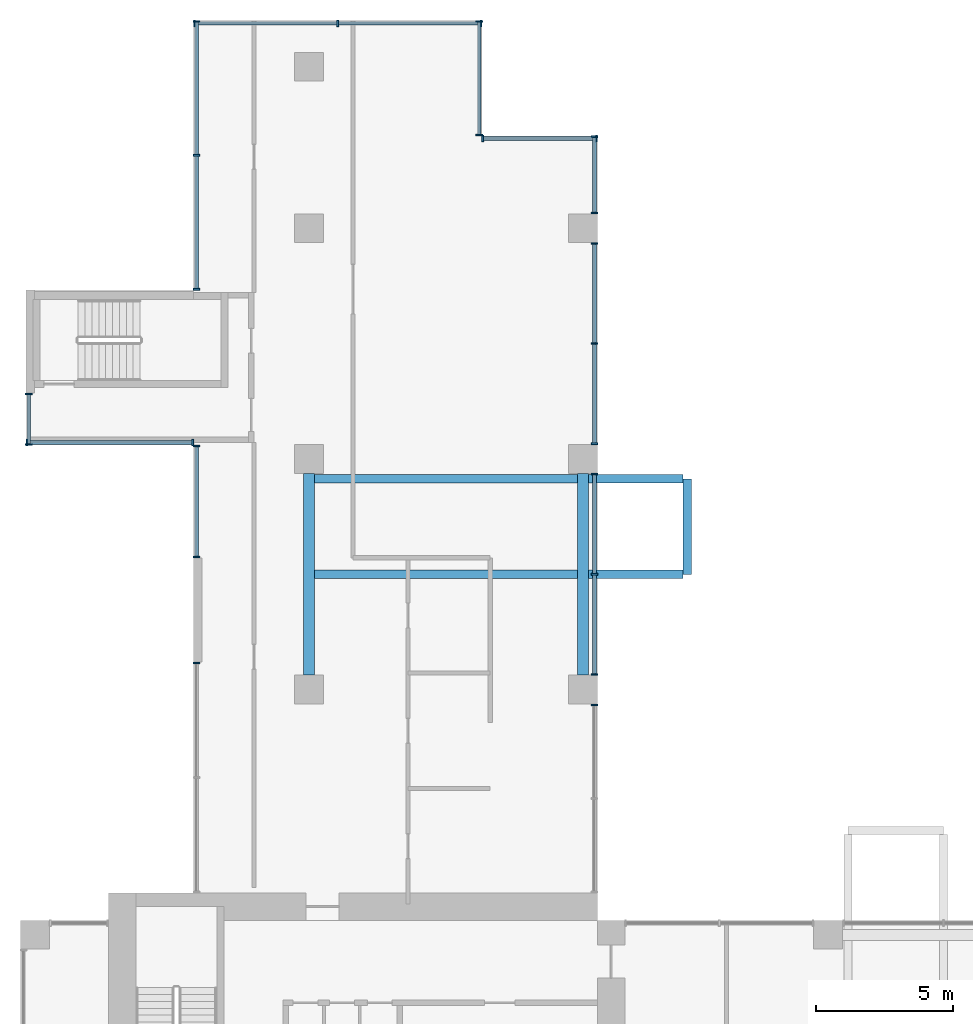
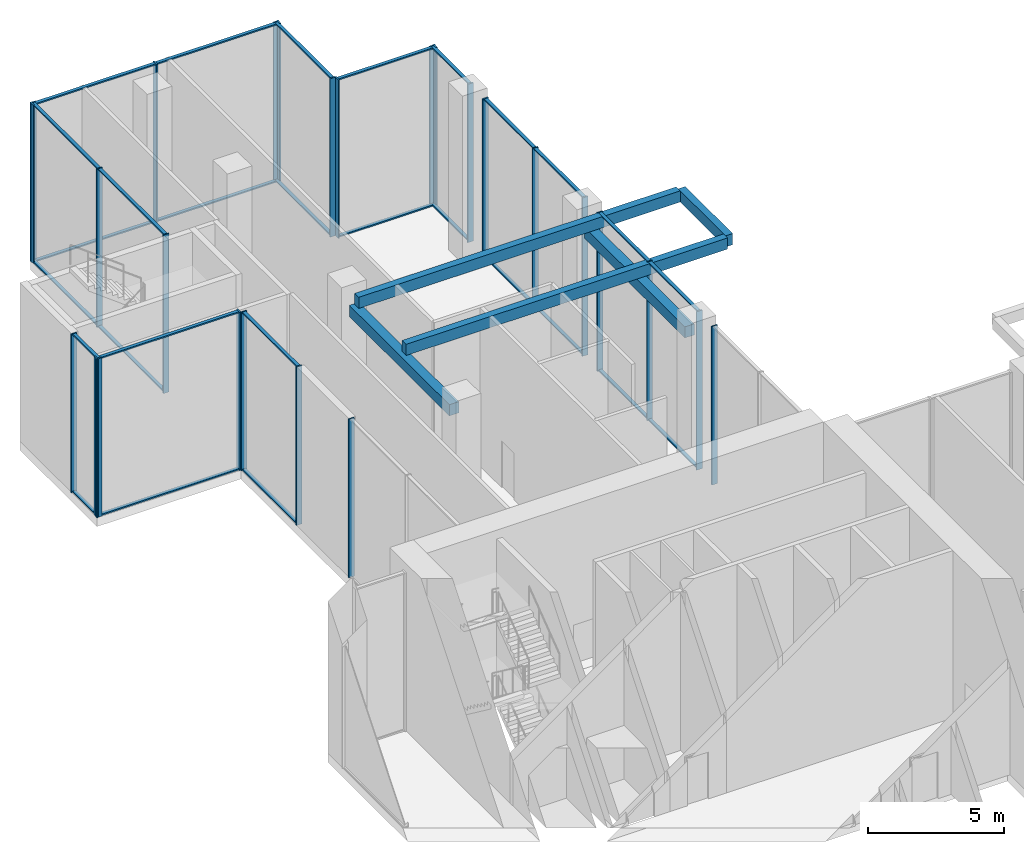
# One storey, part 6 of 18: 54 members, 5 beams, 12 elements without a shape of their own.
"""IFC4 building model written with IfcOpenShell, lengths in metres."""

from ifc_helpers import new_model, si_unit, direction, frame, origin, origin_2d, place, context, subcontext, project, spatial, rectangle, extrude, source, transform, mapped, material, layer, layer_set, material_profile, profile_set, type_object, element, aggregate, save


model = new_model("IFC4")

# Units and contexts
model_context = context("Model", 3, precision=1e-05, world=origin(), true_north=direction((0.0, 1.0)))
body_context = subcontext(model_context, "Body", "Model", "MODEL_VIEW")
ifc_project = project(units=[si_unit("LENGTHUNIT", "METRE"), si_unit("AREAUNIT", "SQUARE_METRE"), si_unit("VOLUMEUNIT", "CUBIC_METRE"), si_unit("PLANEANGLEUNIT", "RADIAN"), si_unit("MASSUNIT", "GRAM", prefix="KILO")], contexts=[model_context])

# Site, building, storey
site_placement = place(None, origin())
site = spatial("IfcSite", under=ifc_project, at=site_placement, CompositionType="ELEMENT")
building_placement = place(site_placement, origin())
building = spatial("IfcBuilding", under=site, at=building_placement, Name="Aurelian Terraces", CompositionType="ELEMENT")
storey_placement = place(building_placement, frame((0.0, 0.0, 170.3)))
storey = spatial("IfcBuildingStorey", under=building, at=storey_placement, Name="L37", CompositionType="ELEMENT", Elevation=170.3)

# Curtain wall, member
ifc_material_1 = material(Name="Anodised aluminium and clear glazing", Category="aluminium")
ifc_layer = layer(ifc_material_1, 0.2)
ifc_layer_set = layer_set([ifc_layer], Name="Lobby glazing curtain wall")
curtain_wall_type = type_object("IfcCurtainWallType", Name="Lobby glazing curtain wall", PredefinedType="NOTDEFINED", material=ifc_layer_set)
curtain_wall_1_placement = place(storey_placement, origin())
curtain_wall_1 = element("IfcCurtainWall", 1, at=curtain_wall_1_placement, inside=storey, type_object=curtain_wall_type, Name="Lobby glazing L37 F10.4", PredefinedType="NOTDEFINED")
ifc_material_2 = material(Name="Anodised aluminium", Category="aluminium")
ifc_material_profile_1 = material_profile(ifc_material_2, rectangle(XDim=0.14, YDim=0.06, at=origin_2d()))
ifc_profile_set_1 = profile_set([ifc_material_profile_1], Name="Anodised aluminium")
member_type_1 = type_object("IfcMemberType", Name="Lobby glazing transom", PredefinedType="USERDEFINED", material=ifc_profile_set_1)
member_1_placement = place(storey_placement, frame((20.9, 46.785, 0.03), z_axis=(0.0, 1.0, 0.0), x_axis=(-1.0, 0.0, 0.0)))
member_1 = element("IfcMember", 2, at=member_1_placement, type_object=member_type_1, Name="CW2 transom 1.1", ObjectType="TRANSOM", PredefinedType="USERDEFINED", context=body_context, shape_type="SweptSolid", body=[
    extrude(rectangle(XDim=0.14, YDim=0.06, at=origin_2d()), origin(), (0.0, 0.0, 1.0), 2.715),
])

curtain_wall_2_placement = place(storey_placement, origin())
curtain_wall_2 = element("IfcCurtainWall", 3, at=curtain_wall_2_placement, inside=storey, type_object=curtain_wall_type, Name="Lobby glazing L37 F13.1", PredefinedType="NOTDEFINED")
member_2_placement = place(storey_placement, frame((16.74, 53.66, 0.03), z_axis=(-1.0, 0.0, 0.0), x_axis=(0.0, -1.0, 0.0)))
member_2 = element("IfcMember", 4, at=member_2_placement, type_object=member_type_1, Name="CW2 transom 1.1", ObjectType="TRANSOM", PredefinedType="USERDEFINED", context=body_context, shape_type="SweptSolid", body=[
    extrude(rectangle(XDim=0.14, YDim=0.06, at=origin_2d()), origin(), (0.0, 0.0, 1.0), 5.16),
])

curtain_wall_3_placement = place(storey_placement, origin())
curtain_wall_3 = element("IfcCurtainWall", 5, at=curtain_wall_3_placement, inside=storey, type_object=curtain_wall_type, Name="Lobby glazing L37 F14.1", PredefinedType="NOTDEFINED")
member_3_placement = place(storey_placement, frame((6.4, 53.7, 0.03), z_axis=(0.0, -1.0, 0.0), x_axis=(1.0, 0.0, 0.0)))
member_3 = element("IfcMember", 6, at=member_3_placement, type_object=member_type_1, Name="CW2 transom 1.1", ObjectType="TRANSOM", PredefinedType="USERDEFINED", context=body_context, shape_type="SweptSolid", body=[
    extrude(rectangle(XDim=0.14, YDim=0.06, at=origin_2d()), origin(), (0.0, 0.0, 1.0), 4.815),
])

curtain_wall_4_placement = place(storey_placement, origin())
curtain_wall_4 = element("IfcCurtainWall", 7, at=curtain_wall_4_placement, inside=storey, type_object=curtain_wall_type, Name="Lobby glazing L37 F16.2", PredefinedType="NOTDEFINED")
member_4_placement = place(storey_placement, frame((0.3, 40.14, 0.03), z_axis=(0.0, -1.0, 0.0), x_axis=(1.0, 0.0, 0.0)))
member_4 = element("IfcMember", 8, at=member_4_placement, type_object=member_type_1, Name="CW2 transom 1.1", ObjectType="TRANSOM", PredefinedType="USERDEFINED", context=body_context, shape_type="SweptSolid", body=[
    extrude(rectangle(XDim=0.14, YDim=0.06, at=origin_2d()), origin(), (0.0, 0.0, 1.0), 1.78),
])

curtain_wall_5_placement = place(storey_placement, origin())
curtain_wall_5 = element("IfcCurtainWall", 9, at=curtain_wall_5_placement, inside=storey, type_object=curtain_wall_type, Name="Lobby glazing L37 F17.1", PredefinedType="NOTDEFINED")
member_5_placement = place(storey_placement, frame((0.26, 38.4, 0.03), z_axis=(1.0, 0.0, 0.0), x_axis=(0.0, 1.0, 0.0)))
member_5 = element("IfcMember", 10, at=member_5_placement, type_object=member_type_1, Name="CW2 transom 1.1", ObjectType="TRANSOM", PredefinedType="USERDEFINED", context=body_context, shape_type="SweptSolid", body=[
    extrude(rectangle(XDim=0.14, YDim=0.06, at=origin_2d()), origin(), (0.0, 0.0, 1.0), 5.98),
])

curtain_wall_6_placement = place(storey_placement, origin())
curtain_wall_6 = element("IfcCurtainWall", 11, at=curtain_wall_6_placement, inside=storey, type_object=curtain_wall_type, Name="Lobby glazing L37 F18.1", PredefinedType="NOTDEFINED")
member_6_placement = place(storey_placement, frame((6.4, 38.24, 0.03), z_axis=(0.0, -1.0, 0.0), x_axis=(1.0, 0.0, 0.0)))
member_6 = element("IfcMember", 12, at=member_6_placement, type_object=member_type_1, Name="CW2 transom 1.1", ObjectType="TRANSOM", PredefinedType="USERDEFINED", context=body_context, shape_type="SweptSolid", body=[
    extrude(rectangle(XDim=0.14, YDim=0.06, at=origin_2d()), origin(), (0.0, 0.0, 1.0), 3.98),
])

# Beams
ifc_material_3 = material(Name="Concrete fc' 40 MPa", Category="concrete")
ifc_material_profile_2 = material_profile(ifc_material_3, rectangle(XDim=0.3, YDim=0.5, at=origin_2d()))
ifc_profile_set_2 = profile_set([ifc_material_profile_2], Name="Concrete fc' 40 MPa")
beam_type_1 = type_object("IfcBeamType", Name="CONCRETE CANTILEVER BEAM 300X500", PredefinedType="BEAM", material=ifc_profile_set_2)
shared_shape_1 = source(origin(), body_context, "Body", "SweptSolid", [
    extrude(rectangle(XDim=0.3, YDim=0.5, at=origin_2d()), origin(), (0.0, 0.0, 1.0), 13.625),
])
for number, where, z_axis, x_axis, name in (
    (13, (24.125, 33.6, 6.85), (-1.0, 0.0, 0.0), (0.0, -1.0, 0.0), "Box cantilever beam J53.1"),
    (14, (24.125, 37.075, 6.85), (-1.0, 0.0, 0.0), (0.0, -1.0, 0.0), "Box cantilever beam J53.2"),
):
    element("IfcBeam", number, at=place(storey_placement, frame(where, z_axis=z_axis, x_axis=x_axis)), inside=storey, type_object=beam_type_1, Name=name, PredefinedType="BEAM", context=body_context, shape_type="MappedRepresentation", body=[
        mapped(shared_shape_1, transform((0.0, 0.0, 0.0), scale=1.0)),
    ])
ifc_material_profile_3 = material_profile(ifc_material_3, rectangle(XDim=0.4, YDim=0.5, at=origin_2d()))
ifc_profile_set_3 = profile_set([ifc_material_profile_3], Name="Concrete fc' 40 MPa")
beam_type_2 = type_object("IfcBeamType", Name="CONCRETE EDGE GIRDER 400X500", PredefinedType="BEAM", material=ifc_profile_set_3)
shared_shape_2 = source(origin(), body_context, "Body", "SweptSolid", [
    extrude(rectangle(XDim=0.4, YDim=0.5, at=origin_2d()), origin(), (0.0, 0.0, 1.0), 7.35),
])
for number, where, z_axis, x_axis, name in (
    (15, (20.475, 29.925, 6.35), (0.0, 1.0, 0.0), (-1.0, 0.0, 0.0), "Box girder L37 O109"),
    (16, (10.5, 29.925, 6.35), (0.0, 1.0, 0.0), (-1.0, 0.0, 0.0), "Box girder L37 I110"),
):
    element("IfcBeam", number, at=place(storey_placement, frame(where, z_axis=z_axis, x_axis=x_axis)), inside=storey, type_object=beam_type_2, Name=name, PredefinedType="BEAM", context=body_context, shape_type="MappedRepresentation", body=[
        mapped(shared_shape_2, transform((0.0, 0.0, 0.0), scale=1.0)),
    ])
shared_shape_3 = source(origin(), body_context, "Body", "SweptSolid", [
    extrude(rectangle(XDim=0.3, YDim=0.5, at=origin_2d()), origin(), (0.0, 0.0, 1.0), 3.475),
])
beam_placement = place(storey_placement, frame((24.275, 33.6, 6.85), z_axis=(0.0, 1.0, 0.0), x_axis=(-1.0, 0.0, 0.0)))
element("IfcBeam", 17, at=beam_placement, inside=storey, type_object=beam_type_1, Name="Box tip beam J53", PredefinedType="BEAM", context=body_context, shape_type="MappedRepresentation", body=[
    mapped(shared_shape_3, transform((0.0, 0.0, 0.0), scale=1.0)),
])

# Curtain wall, member
curtain_wall_7_placement = place(storey_placement, origin())
curtain_wall_7 = element("IfcCurtainWall", 18, at=curtain_wall_7_placement, inside=storey, type_object=curtain_wall_type, Name="Lobby glazing L37 F10.1", PredefinedType="NOTDEFINED")
ifc_material_profile_4 = material_profile(ifc_material_2, rectangle(XDim=0.24, YDim=0.06, at=origin_2d()))
ifc_profile_set_4 = profile_set([ifc_material_profile_4], Name="Anodised aluminium")
member_type_2 = type_object("IfcMemberType", Name="Lobby glazing mullion", PredefinedType="MULLION", material=ifc_profile_set_4)
shared_shape_4 = source(origin(), body_context, "Body", "SweptSolid", [
    extrude(rectangle(XDim=0.24, YDim=0.06, at=origin_2d()), origin(), (0.0, 0.0, 1.0), 7.1),
])
member_7_placement = place(storey_placement, frame((20.9, 28.845, 0.0), z_axis=(0.0, 0.0, 1.0), x_axis=(-1.0, 0.0, 0.0)))
member_7 = element("IfcMember", 19, at=member_7_placement, type_object=member_type_2, Name="CW2 mullion 3", PredefinedType="MULLION", context=body_context, shape_type="MappedRepresentation", body=[
    mapped(shared_shape_4, transform((0.0, 0.0, 0.0), scale=1.0)),
])
aggregate(curtain_wall_7, [member_7])

# Curtain wall, members
curtain_wall_8_placement = place(storey_placement, origin())
curtain_wall_8 = element("IfcCurtainWall", 20, at=curtain_wall_8_placement, inside=storey, type_object=curtain_wall_type, Name="Lobby glazing L37 F10.2", PredefinedType="NOTDEFINED")
member_8_placement = place(storey_placement, frame((20.9, 29.955, 0.0), z_axis=(0.0, 0.0, 1.0), x_axis=(-1.0, 0.0, 0.0)))
member_8 = element("IfcMember", 21, at=member_8_placement, type_object=member_type_2, Name="CW2 mullion 1", PredefinedType="MULLION", context=body_context, shape_type="MappedRepresentation", body=[
    mapped(shared_shape_4, transform((0.0, 0.0, 0.0), scale=1.0)),
])
member_9_placement = place(storey_placement, frame((20.9, 33.6, 0.0), z_axis=(0.0, 0.0, 1.0), x_axis=(-1.0, 0.0, 0.0)))
member_9 = element("IfcMember", 22, at=member_9_placement, type_object=member_type_2, Name="CW2 mullion 2", PredefinedType="MULLION", context=body_context, shape_type="MappedRepresentation", body=[
    mapped(shared_shape_4, transform((0.0, 0.0, 0.0), scale=1.0)),
])
member_10_placement = place(storey_placement, frame((20.9, 37.245, 0.0), z_axis=(0.0, 0.0, 1.0), x_axis=(-1.0, 0.0, 0.0)))
member_10 = element("IfcMember", 23, at=member_10_placement, type_object=member_type_2, Name="CW2 mullion 3", PredefinedType="MULLION", context=body_context, shape_type="MappedRepresentation", body=[
    mapped(shared_shape_4, transform((0.0, 0.0, 0.0), scale=1.0)),
])

curtain_wall_9_placement = place(storey_placement, origin())
curtain_wall_9 = element("IfcCurtainWall", 24, at=curtain_wall_9_placement, inside=storey, type_object=curtain_wall_type, Name="Lobby glazing L37 F10.3", PredefinedType="NOTDEFINED")
member_11_placement = place(storey_placement, frame((20.9, 38.355, 0.0), z_axis=(0.0, 0.0, 1.0), x_axis=(-1.0, 0.0, 0.0)))
member_11 = element("IfcMember", 25, at=member_11_placement, type_object=member_type_2, Name="CW2 mullion 1", PredefinedType="MULLION", context=body_context, shape_type="MappedRepresentation", body=[
    mapped(shared_shape_4, transform((0.0, 0.0, 0.0), scale=1.0)),
])
member_12_placement = place(storey_placement, frame((20.9, 42.0, 0.0), z_axis=(0.0, 0.0, 1.0), x_axis=(-1.0, 0.0, 0.0)))
member_12 = element("IfcMember", 26, at=member_12_placement, type_object=member_type_2, Name="CW2 mullion 2", PredefinedType="MULLION", context=body_context, shape_type="MappedRepresentation", body=[
    mapped(shared_shape_4, transform((0.0, 0.0, 0.0), scale=1.0)),
])
member_13_placement = place(storey_placement, frame((20.9, 45.645, 0.0), z_axis=(0.0, 0.0, 1.0), x_axis=(-1.0, 0.0, 0.0)))
member_13 = element("IfcMember", 27, at=member_13_placement, type_object=member_type_2, Name="CW2 mullion 3", PredefinedType="MULLION", context=body_context, shape_type="MappedRepresentation", body=[
    mapped(shared_shape_4, transform((0.0, 0.0, 0.0), scale=1.0)),
])

# Member
member_14_placement = place(storey_placement, frame((20.9, 46.755, 0.0), z_axis=(0.0, 0.0, 1.0), x_axis=(-1.0, 0.0, 0.0)))
member_14 = element("IfcMember", 28, at=member_14_placement, type_object=member_type_2, Name="CW2 mullion 1", PredefinedType="MULLION", context=body_context, shape_type="MappedRepresentation", body=[
    mapped(shared_shape_4, transform((0.0, 0.0, 0.0), scale=1.0)),
])

member_15_placement = place(storey_placement, frame((20.9, 49.53, 0.0), z_axis=(0.0, 0.0, 1.0), x_axis=(-1.0, 0.0, 0.0)))
member_15 = element("IfcMember", 29, at=member_15_placement, type_object=member_type_2, Name="CW2 mullion 2", PredefinedType="MULLION", context=body_context, shape_type="MappedRepresentation", body=[
    mapped(shared_shape_4, transform((0.0, 0.0, 0.0), scale=1.0)),
])

# Curtain wall, members
curtain_wall_10_placement = place(storey_placement, origin())
curtain_wall_10 = element("IfcCurtainWall", 30, at=curtain_wall_10_placement, inside=storey, type_object=curtain_wall_type, Name="Lobby glazing L37 F11.1", PredefinedType="NOTDEFINED")
member_16_placement = place(storey_placement, frame((20.97, 49.46, 0.0), z_axis=(0.0, 0.0, 1.0), x_axis=(0.0, -1.0, 0.0)))
member_16 = element("IfcMember", 31, at=member_16_placement, type_object=member_type_2, Name="CW2 mullion 1", PredefinedType="MULLION", context=body_context, shape_type="MappedRepresentation", body=[
    mapped(shared_shape_4, transform((0.0, 0.0, 0.0), scale=1.0)),
])
member_17_placement = place(storey_placement, frame((16.83, 49.46, 0.0), z_axis=(0.0, 0.0, 1.0), x_axis=(0.0, -1.0, 0.0)))
member_17 = element("IfcMember", 32, at=member_17_placement, type_object=member_type_2, Name="CW2 mullion 2", PredefinedType="MULLION", context=body_context, shape_type="MappedRepresentation", body=[
    mapped(shared_shape_4, transform((0.0, 0.0, 0.0), scale=1.0)),
])

curtain_wall_11_placement = place(storey_placement, origin())
curtain_wall_11 = element("IfcCurtainWall", 33, at=curtain_wall_11_placement, inside=storey, type_object=curtain_wall_type, Name="Lobby glazing L37 F12.1", PredefinedType="NOTDEFINED")
member_18_placement = place(storey_placement, frame((16.7, 49.59, 0.0), z_axis=(0.0, 0.0, 1.0), x_axis=(-1.0, 0.0, 0.0)))
member_18 = element("IfcMember", 34, at=member_18_placement, type_object=member_type_2, Name="CW2 mullion 1", PredefinedType="MULLION", context=body_context, shape_type="MappedRepresentation", body=[
    mapped(shared_shape_4, transform((0.0, 0.0, 0.0), scale=1.0)),
])
member_19_placement = place(storey_placement, frame((16.7, 53.73, 0.0), z_axis=(0.0, 0.0, 1.0), x_axis=(-1.0, 0.0, 0.0)))
member_19 = element("IfcMember", 35, at=member_19_placement, type_object=member_type_2, Name="CW2 mullion 2", PredefinedType="MULLION", context=body_context, shape_type="MappedRepresentation", body=[
    mapped(shared_shape_4, transform((0.0, 0.0, 0.0), scale=1.0)),
])

# Member
member_20_placement = place(storey_placement, frame((16.77, 53.66, 0.0), z_axis=(0.0, 0.0, 1.0), x_axis=(0.0, -1.0, 0.0)))
member_20 = element("IfcMember", 36, at=member_20_placement, type_object=member_type_2, Name="CW2 mullion 1", PredefinedType="MULLION", context=body_context, shape_type="MappedRepresentation", body=[
    mapped(shared_shape_4, transform((0.0, 0.0, 0.0), scale=1.0)),
])

member_21_placement = place(storey_placement, frame((11.55, 53.66, 0.0), z_axis=(0.0, 0.0, 1.0), x_axis=(0.0, -1.0, 0.0)))
member_21 = element("IfcMember", 37, at=member_21_placement, type_object=member_type_2, Name="CW2 mullion 2", PredefinedType="MULLION", context=body_context, shape_type="MappedRepresentation", body=[
    mapped(shared_shape_4, transform((0.0, 0.0, 0.0), scale=1.0)),
])

member_22_placement = place(storey_placement, frame((6.33, 53.66, 0.0), z_axis=(0.0, 0.0, 1.0), x_axis=(0.0, -1.0, 0.0)))
member_22 = element("IfcMember", 38, at=member_22_placement, type_object=member_type_2, Name="CW2 mullion 3", PredefinedType="MULLION", context=body_context, shape_type="MappedRepresentation", body=[
    mapped(shared_shape_4, transform((0.0, 0.0, 0.0), scale=1.0)),
])

member_23_placement = place(storey_placement, frame((6.4, 53.73, 0.0), z_axis=(0.0, 0.0, 1.0), x_axis=(1.0, 0.0, 0.0)))
member_23 = element("IfcMember", 39, at=member_23_placement, type_object=member_type_2, Name="CW2 mullion 1", PredefinedType="MULLION", context=body_context, shape_type="MappedRepresentation", body=[
    mapped(shared_shape_4, transform((0.0, 0.0, 0.0), scale=1.0)),
])

member_24_placement = place(storey_placement, frame((6.4, 48.855, 0.0), z_axis=(0.0, 0.0, 1.0), x_axis=(1.0, 0.0, 0.0)))
member_24 = element("IfcMember", 40, at=member_24_placement, type_object=member_type_2, Name="CW2 mullion 2", PredefinedType="MULLION", context=body_context, shape_type="MappedRepresentation", body=[
    mapped(shared_shape_4, transform((0.0, 0.0, 0.0), scale=1.0)),
])

member_25_placement = place(storey_placement, frame((6.4, 43.98, 0.0), z_axis=(0.0, 0.0, 1.0), x_axis=(1.0, 0.0, 0.0)))
member_25 = element("IfcMember", 41, at=member_25_placement, type_object=member_type_2, Name="CW2 mullion 3", PredefinedType="MULLION", context=body_context, shape_type="MappedRepresentation", body=[
    mapped(shared_shape_4, transform((0.0, 0.0, 0.0), scale=1.0)),
])

member_26_placement = place(storey_placement, frame((0.3, 40.17, 0.0), z_axis=(0.0, 0.0, 1.0), x_axis=(1.0, 0.0, 0.0)))
member_26 = element("IfcMember", 42, at=member_26_placement, type_object=member_type_2, Name="CW2 mullion 1", PredefinedType="MULLION", context=body_context, shape_type="MappedRepresentation", body=[
    mapped(shared_shape_4, transform((0.0, 0.0, 0.0), scale=1.0)),
])

member_27_placement = place(storey_placement, frame((0.3, 38.33, 0.0), z_axis=(0.0, 0.0, 1.0), x_axis=(1.0, 0.0, 0.0)))
member_27 = element("IfcMember", 43, at=member_27_placement, type_object=member_type_2, Name="CW2 mullion 2", PredefinedType="MULLION", context=body_context, shape_type="MappedRepresentation", body=[
    mapped(shared_shape_4, transform((0.0, 0.0, 0.0), scale=1.0)),
])

member_28_placement = place(storey_placement, frame((0.23, 38.4, 0.0), z_axis=(0.0, 0.0, 1.0), x_axis=(0.0, 1.0, 0.0)))
member_28 = element("IfcMember", 44, at=member_28_placement, type_object=member_type_2, Name="CW2 mullion 1", PredefinedType="MULLION", context=body_context, shape_type="MappedRepresentation", body=[
    mapped(shared_shape_4, transform((0.0, 0.0, 0.0), scale=1.0)),
])

member_29_placement = place(storey_placement, frame((6.27, 38.4, 0.0), z_axis=(0.0, 0.0, 1.0), x_axis=(0.0, 1.0, 0.0)))
member_29 = element("IfcMember", 45, at=member_29_placement, type_object=member_type_2, Name="CW2 mullion 2", PredefinedType="MULLION", context=body_context, shape_type="MappedRepresentation", body=[
    mapped(shared_shape_4, transform((0.0, 0.0, 0.0), scale=1.0)),
])

member_30_placement = place(storey_placement, frame((6.4, 38.27, 0.0), z_axis=(0.0, 0.0, 1.0), x_axis=(1.0, 0.0, 0.0)))
member_30 = element("IfcMember", 46, at=member_30_placement, type_object=member_type_2, Name="CW2 mullion 1", PredefinedType="MULLION", context=body_context, shape_type="MappedRepresentation", body=[
    mapped(shared_shape_4, transform((0.0, 0.0, 0.0), scale=1.0)),
])

member_31_placement = place(storey_placement, frame((6.4, 34.23, 0.0), z_axis=(0.0, 0.0, 1.0), x_axis=(1.0, 0.0, 0.0)))
member_31 = element("IfcMember", 47, at=member_31_placement, type_object=member_type_2, Name="CW2 mullion 2", PredefinedType="MULLION", context=body_context, shape_type="MappedRepresentation", body=[
    mapped(shared_shape_4, transform((0.0, 0.0, 0.0), scale=1.0)),
])

# Curtain wall, member
curtain_wall_12_placement = place(storey_placement, origin())
curtain_wall_12 = element("IfcCurtainWall", 48, at=curtain_wall_12_placement, inside=storey, type_object=curtain_wall_type, Name="Lobby glazing L37 F18.3", PredefinedType="NOTDEFINED")
member_32_placement = place(storey_placement, frame((6.4, 30.37, 0.0), z_axis=(0.0, 0.0, 1.0), x_axis=(1.0, 0.0, 0.0)))
member_32 = element("IfcMember", 49, at=member_32_placement, type_object=member_type_2, Name="CW2 mullion 1", PredefinedType="MULLION", context=body_context, shape_type="MappedRepresentation", body=[
    mapped(shared_shape_4, transform((0.0, 0.0, 0.0), scale=1.0)),
])
aggregate(curtain_wall_12, [member_32])

# Member
shared_shape_5 = source(origin(), body_context, "Body", "SweptSolid", [
    extrude(rectangle(XDim=0.14, YDim=0.06, at=origin_2d()), origin(), (0.0, 0.0, 1.0), 3.585),
])
member_33_placement = place(storey_placement, frame((20.9, 29.985, 0.03), z_axis=(0.0, 1.0, 0.0), x_axis=(-1.0, 0.0, 0.0)))
member_33 = element("IfcMember", 50, at=member_33_placement, type_object=member_type_1, Name="CW2 transom 1.1", ObjectType="TRANSOM", PredefinedType="USERDEFINED", context=body_context, shape_type="MappedRepresentation", body=[
    mapped(shared_shape_5, transform((0.0, 0.0, 0.0), scale=1.0)),
])

member_34_placement = place(storey_placement, frame((20.9, 29.985, 7.07), z_axis=(0.0, 1.0, 0.0), x_axis=(-1.0, 0.0, 0.0)))
member_34 = element("IfcMember", 51, at=member_34_placement, type_object=member_type_1, Name="CW2 transom 1.2", ObjectType="TRANSOM", PredefinedType="USERDEFINED", context=body_context, shape_type="MappedRepresentation", body=[
    mapped(shared_shape_5, transform((0.0, 0.0, 0.0), scale=1.0)),
])

member_35_placement = place(storey_placement, frame((20.9, 33.63, 0.03), z_axis=(0.0, 1.0, 0.0), x_axis=(-1.0, 0.0, 0.0)))
member_35 = element("IfcMember", 52, at=member_35_placement, type_object=member_type_1, Name="CW2 transom 2.1", ObjectType="TRANSOM", PredefinedType="USERDEFINED", context=body_context, shape_type="MappedRepresentation", body=[
    mapped(shared_shape_5, transform((0.0, 0.0, 0.0), scale=1.0)),
])

member_36_placement = place(storey_placement, frame((20.9, 33.63, 7.07), z_axis=(0.0, 1.0, 0.0), x_axis=(-1.0, 0.0, 0.0)))
member_36 = element("IfcMember", 53, at=member_36_placement, type_object=member_type_1, Name="CW2 transom 2.2", ObjectType="TRANSOM", PredefinedType="USERDEFINED", context=body_context, shape_type="MappedRepresentation", body=[
    mapped(shared_shape_5, transform((0.0, 0.0, 0.0), scale=1.0)),
])

aggregate(curtain_wall_8, [member_8, member_9, member_10, member_33, member_34, member_35, member_36])

member_37_placement = place(storey_placement, frame((20.9, 38.385, 0.03), z_axis=(0.0, 1.0, 0.0), x_axis=(-1.0, 0.0, 0.0)))
member_37 = element("IfcMember", 54, at=member_37_placement, type_object=member_type_1, Name="CW2 transom 1.1", ObjectType="TRANSOM", PredefinedType="USERDEFINED", context=body_context, shape_type="MappedRepresentation", body=[
    mapped(shared_shape_5, transform((0.0, 0.0, 0.0), scale=1.0)),
])

member_38_placement = place(storey_placement, frame((20.9, 38.385, 7.07), z_axis=(0.0, 1.0, 0.0), x_axis=(-1.0, 0.0, 0.0)))
member_38 = element("IfcMember", 55, at=member_38_placement, type_object=member_type_1, Name="CW2 transom 1.2", ObjectType="TRANSOM", PredefinedType="USERDEFINED", context=body_context, shape_type="MappedRepresentation", body=[
    mapped(shared_shape_5, transform((0.0, 0.0, 0.0), scale=1.0)),
])

member_39_placement = place(storey_placement, frame((20.9, 42.03, 0.03), z_axis=(0.0, 1.0, 0.0), x_axis=(-1.0, 0.0, 0.0)))
member_39 = element("IfcMember", 56, at=member_39_placement, type_object=member_type_1, Name="CW2 transom 2.1", ObjectType="TRANSOM", PredefinedType="USERDEFINED", context=body_context, shape_type="MappedRepresentation", body=[
    mapped(shared_shape_5, transform((0.0, 0.0, 0.0), scale=1.0)),
])

member_40_placement = place(storey_placement, frame((20.9, 42.03, 7.07), z_axis=(0.0, 1.0, 0.0), x_axis=(-1.0, 0.0, 0.0)))
member_40 = element("IfcMember", 57, at=member_40_placement, type_object=member_type_1, Name="CW2 transom 2.2", ObjectType="TRANSOM", PredefinedType="USERDEFINED", context=body_context, shape_type="MappedRepresentation", body=[
    mapped(shared_shape_5, transform((0.0, 0.0, 0.0), scale=1.0)),
])

aggregate(curtain_wall_9, [member_11, member_12, member_13, member_37, member_38, member_39, member_40])

shared_shape_6 = source(origin(), body_context, "Body", "SweptSolid", [
    extrude(rectangle(XDim=0.14, YDim=0.06, at=origin_2d()), origin(), (0.0, 0.0, 1.0), 4.08),
])
member_41_placement = place(storey_placement, frame((20.94, 49.46, 0.03), z_axis=(-1.0, 0.0, 0.0), x_axis=(0.0, -1.0, 0.0)))
member_41 = element("IfcMember", 58, at=member_41_placement, type_object=member_type_1, Name="CW2 transom 1.1", ObjectType="TRANSOM", PredefinedType="USERDEFINED", context=body_context, shape_type="MappedRepresentation", body=[
    mapped(shared_shape_6, transform((0.0, 0.0, 0.0), scale=1.0)),
])

member_42_placement = place(storey_placement, frame((20.94, 49.46, 7.07), z_axis=(-1.0, 0.0, 0.0), x_axis=(0.0, -1.0, 0.0)))
member_42 = element("IfcMember", 59, at=member_42_placement, type_object=member_type_1, Name="CW2 transom 1.2", ObjectType="TRANSOM", PredefinedType="USERDEFINED", context=body_context, shape_type="MappedRepresentation", body=[
    mapped(shared_shape_6, transform((0.0, 0.0, 0.0), scale=1.0)),
])

aggregate(curtain_wall_10, [member_16, member_17, member_41, member_42])

member_43_placement = place(storey_placement, frame((16.7, 49.62, 0.03), z_axis=(0.0, 1.0, 0.0), x_axis=(-1.0, 0.0, 0.0)))
member_43 = element("IfcMember", 60, at=member_43_placement, type_object=member_type_1, Name="CW2 transom 1.1", ObjectType="TRANSOM", PredefinedType="USERDEFINED", context=body_context, shape_type="MappedRepresentation", body=[
    mapped(shared_shape_6, transform((0.0, 0.0, 0.0), scale=1.0)),
])

member_44_placement = place(storey_placement, frame((16.7, 49.62, 7.07), z_axis=(0.0, 1.0, 0.0), x_axis=(-1.0, 0.0, 0.0)))
member_44 = element("IfcMember", 61, at=member_44_placement, type_object=member_type_1, Name="CW2 transom 1.2", ObjectType="TRANSOM", PredefinedType="USERDEFINED", context=body_context, shape_type="MappedRepresentation", body=[
    mapped(shared_shape_6, transform((0.0, 0.0, 0.0), scale=1.0)),
])

aggregate(curtain_wall_11, [member_18, member_19, member_43, member_44])

shared_shape_7 = source(origin(), body_context, "Body", "SweptSolid", [
    extrude(rectangle(XDim=0.14, YDim=0.06, at=origin_2d()), origin(), (0.0, 0.0, 1.0), 2.715),
])
member_45_placement = place(storey_placement, frame((20.9, 46.785, 7.07), z_axis=(0.0, 1.0, 0.0), x_axis=(-1.0, 0.0, 0.0)))
member_45 = element("IfcMember", 62, at=member_45_placement, type_object=member_type_1, Name="CW2 transom 1.2", ObjectType="TRANSOM", PredefinedType="USERDEFINED", context=body_context, shape_type="MappedRepresentation", body=[
    mapped(shared_shape_7, transform((0.0, 0.0, 0.0), scale=1.0)),
])

aggregate(curtain_wall_1, [member_14, member_15, member_1, member_45])

shared_shape_8 = source(origin(), body_context, "Body", "SweptSolid", [
    extrude(rectangle(XDim=0.14, YDim=0.06, at=origin_2d()), origin(), (0.0, 0.0, 1.0), 5.16),
])
member_46_placement = place(storey_placement, frame((16.74, 53.66, 7.07), z_axis=(-1.0, 0.0, 0.0), x_axis=(0.0, -1.0, 0.0)))
member_46 = element("IfcMember", 63, at=member_46_placement, type_object=member_type_1, Name="CW2 transom 1.2", ObjectType="TRANSOM", PredefinedType="USERDEFINED", context=body_context, shape_type="MappedRepresentation", body=[
    mapped(shared_shape_8, transform((0.0, 0.0, 0.0), scale=1.0)),
])

member_47_placement = place(storey_placement, frame((11.52, 53.66, 0.03), z_axis=(-1.0, 0.0, 0.0), x_axis=(0.0, -1.0, 0.0)))
member_47 = element("IfcMember", 64, at=member_47_placement, type_object=member_type_1, Name="CW2 transom 2.1", ObjectType="TRANSOM", PredefinedType="USERDEFINED", context=body_context, shape_type="MappedRepresentation", body=[
    mapped(shared_shape_8, transform((0.0, 0.0, 0.0), scale=1.0)),
])

member_48_placement = place(storey_placement, frame((11.52, 53.66, 7.07), z_axis=(-1.0, 0.0, 0.0), x_axis=(0.0, -1.0, 0.0)))
member_48 = element("IfcMember", 65, at=member_48_placement, type_object=member_type_1, Name="CW2 transom 2.2", ObjectType="TRANSOM", PredefinedType="USERDEFINED", context=body_context, shape_type="MappedRepresentation", body=[
    mapped(shared_shape_8, transform((0.0, 0.0, 0.0), scale=1.0)),
])

aggregate(curtain_wall_2, [member_20, member_21, member_22, member_2, member_46, member_47, member_48])

shared_shape_9 = source(origin(), body_context, "Body", "SweptSolid", [
    extrude(rectangle(XDim=0.14, YDim=0.06, at=origin_2d()), origin(), (0.0, 0.0, 1.0), 4.815),
])
member_49_placement = place(storey_placement, frame((6.4, 53.7, 7.07), z_axis=(0.0, -1.0, 0.0), x_axis=(1.0, 0.0, 0.0)))
member_49 = element("IfcMember", 66, at=member_49_placement, type_object=member_type_1, Name="CW2 transom 1.2", ObjectType="TRANSOM", PredefinedType="USERDEFINED", context=body_context, shape_type="MappedRepresentation", body=[
    mapped(shared_shape_9, transform((0.0, 0.0, 0.0), scale=1.0)),
])

member_50_placement = place(storey_placement, frame((6.4, 48.825, 0.03), z_axis=(0.0, -1.0, 0.0), x_axis=(1.0, 0.0, 0.0)))
member_50 = element("IfcMember", 67, at=member_50_placement, type_object=member_type_1, Name="CW2 transom 2.1", ObjectType="TRANSOM", PredefinedType="USERDEFINED", context=body_context, shape_type="MappedRepresentation", body=[
    mapped(shared_shape_9, transform((0.0, 0.0, 0.0), scale=1.0)),
])

member_51_placement = place(storey_placement, frame((6.4, 48.825, 7.07), z_axis=(0.0, -1.0, 0.0), x_axis=(1.0, 0.0, 0.0)))
member_51 = element("IfcMember", 68, at=member_51_placement, type_object=member_type_1, Name="CW2 transom 2.2", ObjectType="TRANSOM", PredefinedType="USERDEFINED", context=body_context, shape_type="MappedRepresentation", body=[
    mapped(shared_shape_9, transform((0.0, 0.0, 0.0), scale=1.0)),
])

aggregate(curtain_wall_3, [member_23, member_24, member_25, member_3, member_49, member_50, member_51])

shared_shape_10 = source(origin(), body_context, "Body", "SweptSolid", [
    extrude(rectangle(XDim=0.14, YDim=0.06, at=origin_2d()), origin(), (0.0, 0.0, 1.0), 1.78),
])
member_52_placement = place(storey_placement, frame((0.3, 40.14, 7.07), z_axis=(0.0, -1.0, 0.0), x_axis=(1.0, 0.0, 0.0)))
member_52 = element("IfcMember", 69, at=member_52_placement, type_object=member_type_1, Name="CW2 transom 1.2", ObjectType="TRANSOM", PredefinedType="USERDEFINED", context=body_context, shape_type="MappedRepresentation", body=[
    mapped(shared_shape_10, transform((0.0, 0.0, 0.0), scale=1.0)),
])

aggregate(curtain_wall_4, [member_26, member_27, member_4, member_52])

shared_shape_11 = source(origin(), body_context, "Body", "SweptSolid", [
    extrude(rectangle(XDim=0.14, YDim=0.06, at=origin_2d()), origin(), (0.0, 0.0, 1.0), 5.98),
])
member_53_placement = place(storey_placement, frame((0.26, 38.4, 7.07), z_axis=(1.0, 0.0, 0.0), x_axis=(0.0, 1.0, 0.0)))
member_53 = element("IfcMember", 70, at=member_53_placement, type_object=member_type_1, Name="CW2 transom 1.2", ObjectType="TRANSOM", PredefinedType="USERDEFINED", context=body_context, shape_type="MappedRepresentation", body=[
    mapped(shared_shape_11, transform((0.0, 0.0, 0.0), scale=1.0)),
])

aggregate(curtain_wall_5, [member_28, member_29, member_5, member_53])

shared_shape_12 = source(origin(), body_context, "Body", "SweptSolid", [
    extrude(rectangle(XDim=0.14, YDim=0.06, at=origin_2d()), origin(), (0.0, 0.0, 1.0), 3.98),
])
member_54_placement = place(storey_placement, frame((6.4, 38.24, 7.07), z_axis=(0.0, -1.0, 0.0), x_axis=(1.0, 0.0, 0.0)))
member_54 = element("IfcMember", 71, at=member_54_placement, type_object=member_type_1, Name="CW2 transom 1.2", ObjectType="TRANSOM", PredefinedType="USERDEFINED", context=body_context, shape_type="MappedRepresentation", body=[
    mapped(shared_shape_12, transform((0.0, 0.0, 0.0), scale=1.0)),
])

aggregate(curtain_wall_6, [member_30, member_31, member_6, member_54])

save(model, "model.ifc")
